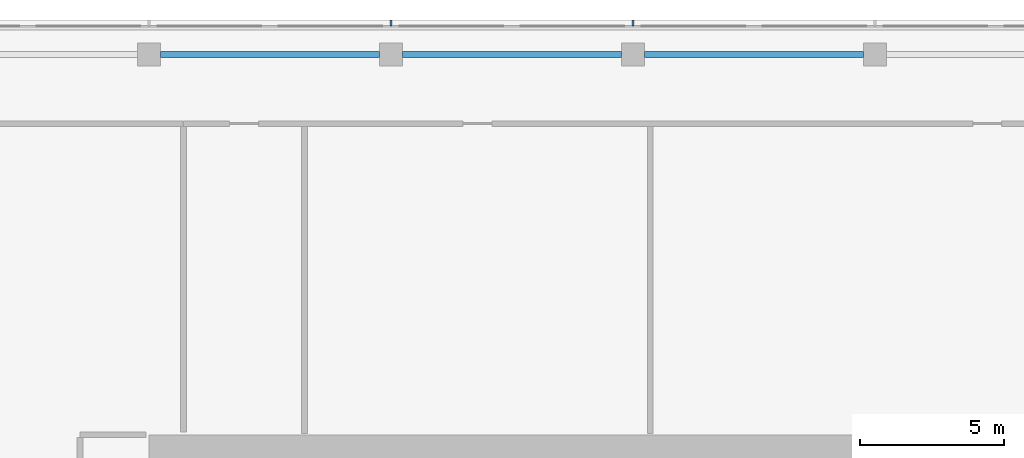
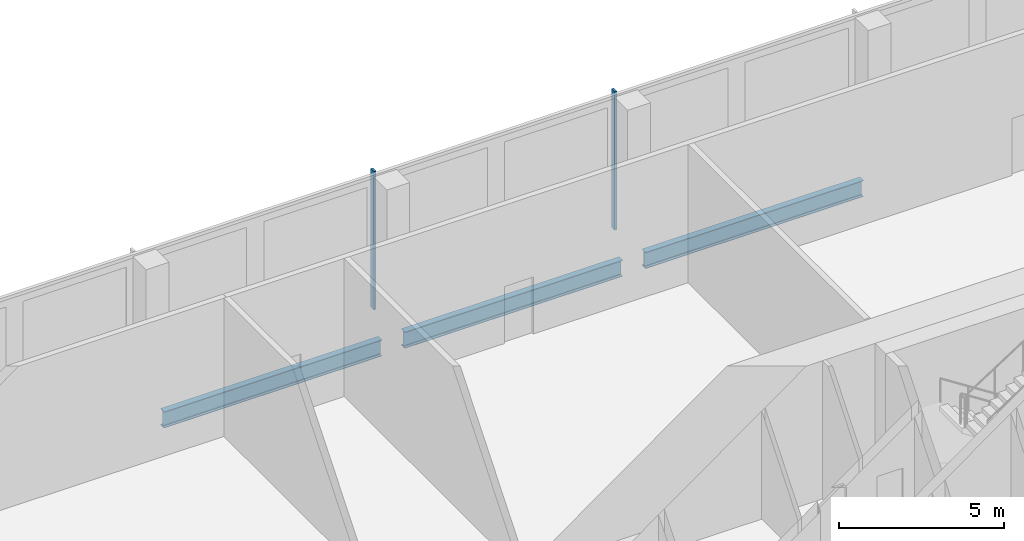
# One storey, part 18 of 39: 3 beams, 2 members, 1 element without a shape of its own.
"""IFC4 building model written with IfcOpenShell, lengths in metres."""

from ifc_helpers import new_model, si_unit, direction, frame, origin, origin_2d, place, context, subcontext, project, spatial, rectangle, i_section, extrude, material, material_profile, profile_set, type_object, element, aggregate, save


model = new_model("IFC4")

# Units and contexts
model_context = context("Model", 3, precision=1e-05, world=origin(), true_north=direction((0.0, 1.0)))
body_context = subcontext(model_context, "Body", "Model", "MODEL_VIEW")
ifc_project = project(units=[si_unit("LENGTHUNIT", "METRE"), si_unit("AREAUNIT", "SQUARE_METRE"), si_unit("VOLUMEUNIT", "CUBIC_METRE"), si_unit("PLANEANGLEUNIT", "RADIAN"), si_unit("MASSUNIT", "GRAM", prefix="KILO")], contexts=[model_context])

# Site, building, storey
site_placement = place(None, origin())
site = spatial("IfcSite", under=ifc_project, at=site_placement, CompositionType="ELEMENT")
building_placement = place(site_placement, origin())
building = spatial("IfcBuilding", under=site, at=building_placement, Name="Saffron Gate Tower", CompositionType="ELEMENT")
storey_placement = place(building_placement, frame((0.0, 0.0, 9.0)))
storey = spatial("IfcBuildingStorey", under=building, at=storey_placement, Name="L01", CompositionType="ELEMENT", Elevation=9.0)

# Beams
ifc_material_1 = material(Name="Structural steel S355", Category="steel")
ifc_material_profile_1 = material_profile(ifc_material_1, i_section(OverallWidth=0.219970703125, OverallDepth=0.60009765625, WebThickness=0.011962890625, FlangeThickness=0.01904296875, FilletRadius=0.02392578125, at=origin_2d()))
ifc_profile_set_1 = profile_set([ifc_material_profile_1], Name="Structural steel S355")
beam_type = type_object("IfcBeamType", Name="B15 IPE 600", PredefinedType="BEAM", material=ifc_profile_set_1)
for number, where, z_axis, x_axis, name in (
    (1, (67.0, 88.800048828125, -0.60009765625), (1.0, 0.0, 0.0), (0.0, 1.0, 0.0), "B15 PODIUM EDGE BEAM"),
    (2, (75.39990234375, 88.800048828125, -0.60009765625), (1.0, 0.0, 0.0), (0.0, 1.0, 0.0), "B15 PODIUM EDGE BEAM"),
):
    element("IfcBeam", number, at=place(storey_placement, frame(where, z_axis=z_axis, x_axis=x_axis)), inside=storey, type_object=beam_type, Name=name, PredefinedType="BEAM", context=body_context, shape_type="SweptSolid", body=[
        extrude(i_section(OverallWidth=0.219970703125, OverallDepth=0.60009765625, WebThickness=0.011962890625, FlangeThickness=0.01904296875, FilletRadius=0.02392578125, at=origin_2d()), origin(), (0.0, 0.0, 1.0), 7.60009765625),
    ])
beam_placement = place(storey_placement, frame((83.800048828125, 88.800048828125, -0.60009765625), z_axis=(1.0, 0.0, 0.0), x_axis=(0.0, 1.0, 0.0)))
element("IfcBeam", 3, at=beam_placement, inside=storey, type_object=beam_type, Name="B15 PODIUM EDGE BEAM", PredefinedType="BEAM", context=body_context, shape_type="SweptSolid", body=[
    extrude(i_section(OverallWidth=0.219970703125, OverallDepth=0.60009765625, WebThickness=0.011962890625, FlangeThickness=0.01904296875, FilletRadius=0.02392578125, at=origin_2d()), origin(), (0.0, 0.0, 1.0), 7.599853515625),
])

# Curtain wall, members
ifc_material_2 = material(Name="Aluminium, bronze anodised", Category="aluminium")
curtain_wall_type = type_object("IfcCurtainWallType", Name="CWS5 curtain wall podium ring base", PredefinedType="NOTDEFINED", material=ifc_material_2)
curtain_wall_placement = place(storey_placement, origin())
curtain_wall = element("IfcCurtainWall", 4, at=curtain_wall_placement, inside=storey, type_object=curtain_wall_type, Name="CWS5 run 3", PredefinedType="NOTDEFINED")
ifc_material_profile_2 = material_profile(ifc_material_2, rectangle(XDim=0.199951171875, YDim=0.080078125, at=origin_2d()))
ifc_profile_set_2 = profile_set([ifc_material_profile_2], Name="Aluminium, bronze anodised")
member_type = type_object("IfcMemberType", Name="CWS5 mullion 80x200", PredefinedType="MULLION", material=ifc_profile_set_2)
member_1_placement = place(storey_placement, frame((83.39990234375, 89.89990234375, 0.0), z_axis=(0.0, 0.0, 1.0), x_axis=(0.0, -1.0, 0.0)))
member_1 = element("IfcMember", 5, at=member_1_placement, type_object=member_type, Name="CWS5 mullion 9", PredefinedType="MULLION", context=body_context, shape_type="SweptSolid", body=[
    extrude(rectangle(XDim=0.199951171875, YDim=0.080078125, at=origin_2d()), origin(), (0.0, 0.0, 1.0), 5.10009765625),
])
member_2_placement = place(storey_placement, frame((75.0, 89.89990234375, 0.0), z_axis=(0.0, 0.0, 1.0), x_axis=(0.0, -1.0, 0.0)))
member_2 = element("IfcMember", 6, at=member_2_placement, type_object=member_type, Name="CWS5 mullion 10", PredefinedType="MULLION", context=body_context, shape_type="SweptSolid", body=[
    extrude(rectangle(XDim=0.199951171875, YDim=0.080078125, at=origin_2d()), origin(), (0.0, 0.0, 1.0), 5.10009765625),
])
aggregate(curtain_wall, [member_1, member_2])

save(model, "model.ifc")
